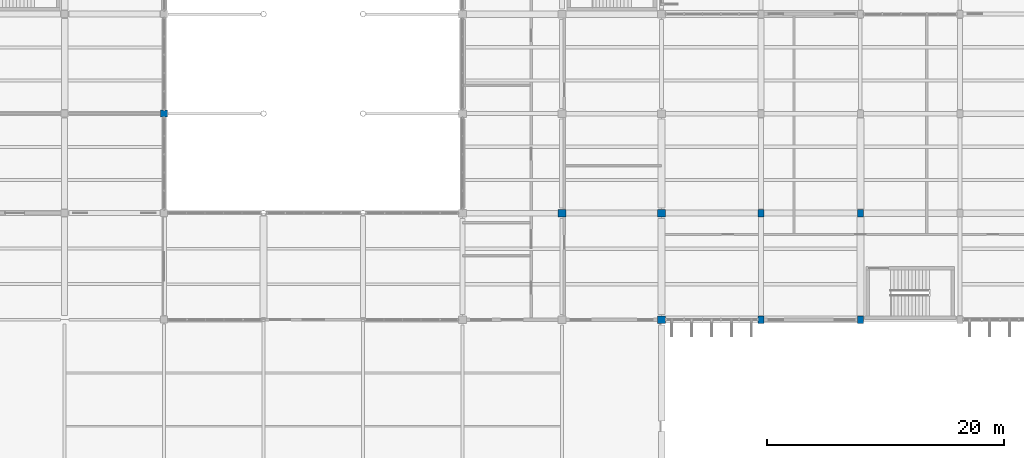
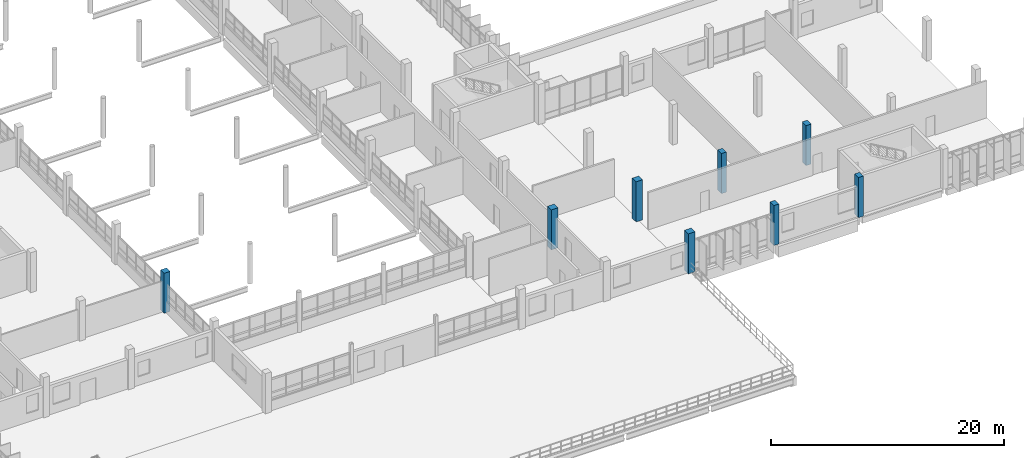
# One storey, part 3 of 101: 8 columns.
"""IFC4 building model written with IfcOpenShell, lengths in metres."""

from ifc_helpers import new_model, si_unit, direction, frame, origin, origin_2d, place, context, subcontext, project, spatial, rectangle, extrude, material, material_profile, profile_set, type_object, element, save


model = new_model("IFC4")

# Units and contexts
model_context = context("Model", 3, precision=1e-05, world=origin(), true_north=direction((0.0, 1.0)))
body_context = subcontext(model_context, "Body", "Model", "MODEL_VIEW")
ifc_project = project(units=[si_unit("LENGTHUNIT", "METRE"), si_unit("AREAUNIT", "SQUARE_METRE"), si_unit("VOLUMEUNIT", "CUBIC_METRE"), si_unit("PLANEANGLEUNIT", "RADIAN"), si_unit("MASSUNIT", "GRAM", prefix="KILO")], contexts=[model_context])

# Site, building, storey
site_placement = place(None, origin())
site = spatial("IfcSite", under=ifc_project, at=site_placement, CompositionType="ELEMENT")
building_placement = place(site_placement, origin())
building = spatial("IfcBuilding", under=site, at=building_placement, Name="Vireocrest Preparatory School", CompositionType="ELEMENT")
storey_placement = place(building_placement, frame((0.0, 0.0, 4.800048828125)))
storey = spatial("IfcBuildingStorey", under=building, at=storey_placement, Name="L01", CompositionType="ELEMENT", Elevation=4.800048828125)

# Columns
ifc_material = material(Name="Concrete 45 MPa", Category="concrete")
ifc_material_profile_1 = material_profile(ifc_material, rectangle(XDim=0.60009765625, YDim=0.60009765625, at=origin_2d()), Name="RC 600x600")
ifc_profile_set_1 = profile_set([ifc_material_profile_1], Name="Concrete 45 MPa")
column_type_1 = type_object("IfcColumnType", Name="RC Column 600x600", PredefinedType="COLUMN", material=ifc_profile_set_1)
column_placement = place(storey_placement, frame((67.199951171875, 35.39990234375, 0.0), z_axis=(0.0, 0.0, 1.0), x_axis=(1.0, 0.0, 0.0)))
element("IfcColumn", 1, at=column_placement, inside=storey, type_object=column_type_1, Name="Column C05 L01 9/E", PredefinedType="COLUMN", context=body_context, shape_type="SweptSolid", body=[
    extrude(rectangle(XDim=0.60009765625, YDim=0.60009765625, at=origin_2d()), origin(), (0.0, 0.0, 1.0), 4.199951171875),
])
ifc_material_profile_2 = material_profile(ifc_material, rectangle(XDim=0.64990234375, YDim=0.64990234375, at=origin_2d()), Name="RC 650x650")
ifc_profile_set_2 = profile_set([ifc_material_profile_2], Name="Concrete 45 MPa")
column_type_2 = type_object("IfcColumnType", Name="RC Column 650x650", PredefinedType="COLUMN", material=ifc_profile_set_2)
for number, where, z_axis, x_axis, name in (
    (2, (100.800048828125, 27.0, 0.0), (0.0, 0.0, 1.0), (1.0, 0.0, 0.0), "Column C06 L01 13/D"),
    (3, (109.199951171875, 18.0, 0.0), (0.0, 0.0, 1.0), (1.0, 0.0, 0.0), "Column C06 L01 14/C"),
    (4, (109.199951171875, 27.0, 0.0), (0.0, 0.0, 1.0), (1.0, 0.0, 0.0), "Column C06 L01 14/D"),
):
    element("IfcColumn", number, at=place(storey_placement, frame(where, z_axis=z_axis, x_axis=x_axis)), inside=storey, type_object=column_type_2, Name=name, PredefinedType="COLUMN", context=body_context, shape_type="SweptSolid", body=[
        extrude(rectangle(XDim=0.64990234375, YDim=0.64990234375, at=origin_2d()), origin(), (0.0, 0.0, 1.0), 4.199951171875),
    ])
ifc_material_profile_3 = material_profile(ifc_material, rectangle(XDim=0.5, YDim=0.64990234375, at=origin_2d()), Name="RC 500x650")
ifc_profile_set_3 = profile_set([ifc_material_profile_3], Name="Concrete 45 MPa")
column_type_3 = type_object("IfcColumnType", Name="RC Hall Column 500x650", PredefinedType="COLUMN", material=ifc_profile_set_3)
for number, where, z_axis, x_axis, name in (
    (5, (117.60009765625, 18.0, 0.0), (0.0, 0.0, 1.0), (1.0, 0.0, 0.0), "Column C11 L01 15/C"),
    (6, (117.60009765625, 27.0, 0.0), (0.0, 0.0, 1.0), (1.0, 0.0, 0.0), "Column C11 L01 15/D"),
    (7, (126.0, 18.0, 0.0), (0.0, 0.0, 1.0), (1.0, 0.0, 0.0), "Column C11 L01 16/C"),
    (8, (126.0, 27.0, 0.0), (0.0, 0.0, 1.0), (1.0, 0.0, 0.0), "Column C11 L01 16/D"),
):
    element("IfcColumn", number, at=place(storey_placement, frame(where, z_axis=z_axis, x_axis=x_axis)), inside=storey, type_object=column_type_3, Name=name, PredefinedType="COLUMN", context=body_context, shape_type="SweptSolid", body=[
        extrude(rectangle(XDim=0.5, YDim=0.64990234375, at=origin_2d()), origin(), (0.0, 0.0, 1.0), 4.199951171875),
    ])

save(model, "model.ifc")
